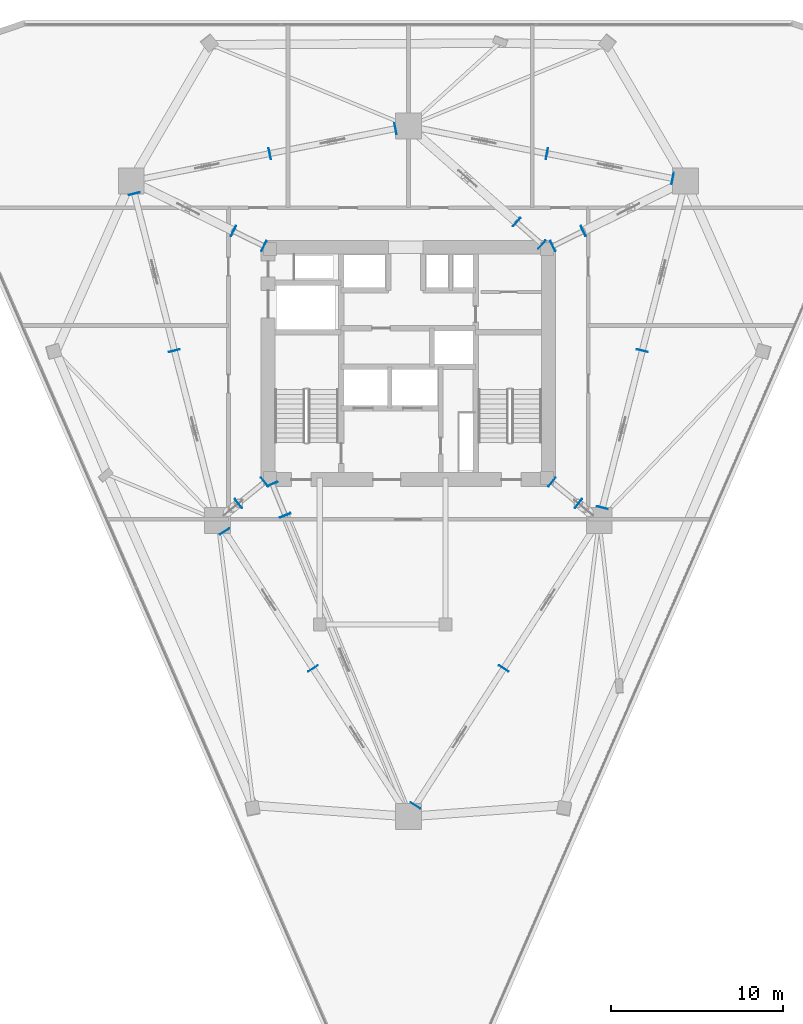
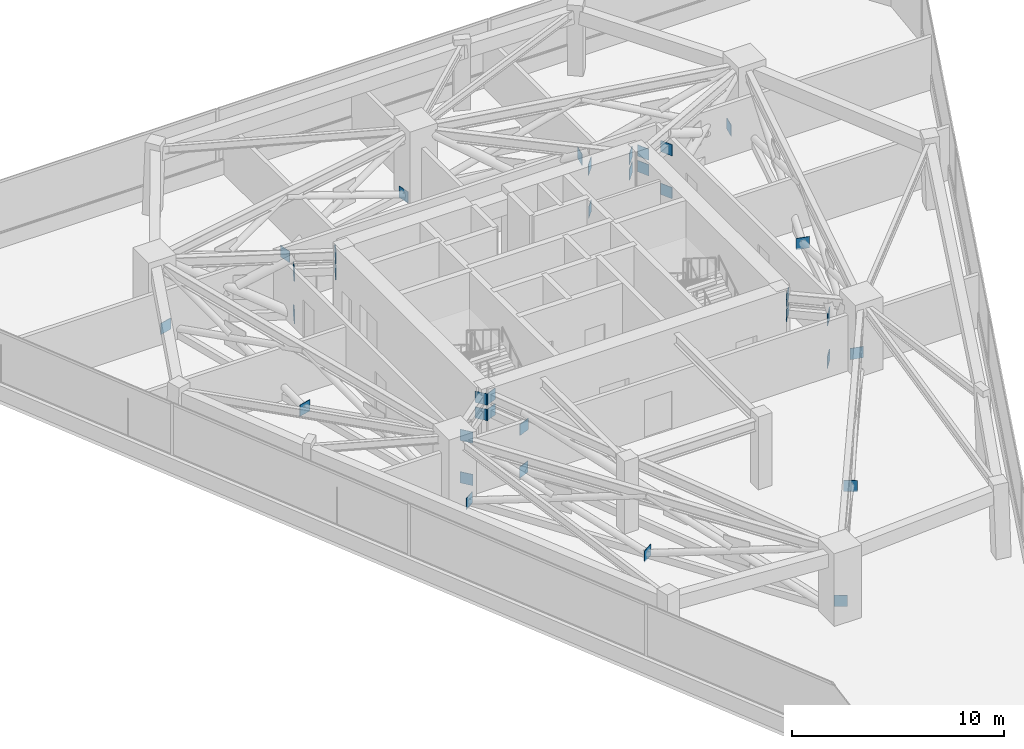
# One storey, part 10 of 13: 36 plates.
"""IFC4 building model written with IfcOpenShell, lengths in metres."""

import ifcopenshell
import ifcopenshell.guid

model = None  # the IFC model being written
_history = None  # IfcOwnerHistory: only IFC2X3 demands one
_inside = {}  # id of a spatial element -> (the spatial element, [elements in it])
_under = {}  # id of a project, library or spatial element -> (it, [spatial elements below it])
_declared = {}  # id of a project -> (the project, [libraries it declares])
_typed = {}  # id of a type object -> (the type object, [elements of that type])
_made_of = {}  # id of a material, layer set ... -> (it, [elements and type objects made of it])


def new_model(schema):
    """Start an empty IFC model of exactly this schema.

    Asked for "IFC4X3", IfcOpenShell would pick the latest addendum, in which some entities
    have other attributes; the version numbers below select the first issue.
    IFC2X3 requires an IfcOwnerHistory on every rooted entity: one is made here for all.
    """
    global model, _history
    if schema == "IFC4X3":
        model = ifcopenshell.file(schema_version=(4, 3, 0, 0))
    else:
        model = ifcopenshell.file(schema=schema)
    _inside.clear()
    _under.clear()
    _declared.clear()
    _typed.clear()
    _made_of.clear()
    _history = None
    if model.schema == "IFC2X3":
        org = make("IfcOrganization", Name="unknown")
        user = make(
            "IfcPersonAndOrganization",
            ThePerson=make("IfcPerson", FamilyName="unknown"),
            TheOrganization=org,
        )
        app = make(
            "IfcApplication",
            ApplicationDeveloper=org,
            Version="unknown",
            ApplicationFullName="unknown",
            ApplicationIdentifier="unknown",
        )
        _history = make(
            "IfcOwnerHistory",
            OwningUser=user,
            OwningApplication=app,
            ChangeAction="ADDED",
            CreationDate=0,
        )
    return model


def make(cls, **values):
    """One entity of the class cls with the attributes given. An attribute that is None is left unset."""
    return model.create_entity(
        cls, **{name: value for name, value in values.items() if value is not None}
    )


def rooted(cls, **values):
    """An entity with a GlobalId (a new one), such as an element, a storey or a relation."""
    return make(cls, GlobalId=ifcopenshell.guid.new(), OwnerHistory=_history, **values)


def si_unit(unit_type, name, prefix=None):
    """IfcSIUnit, for example si_unit("LENGTHUNIT", "METRE", prefix="MILLI")."""
    return make("IfcSIUnit", UnitType=unit_type, Prefix=prefix, Name=name)


def assignment(units):
    """IfcUnitAssignment: the units of a project."""
    return None if units is None else make("IfcUnitAssignment", Units=units)


def point(xyz):
    """IfcCartesianPoint."""
    return None if xyz is None else make("IfcCartesianPoint", Coordinates=xyz)


def direction(xyz):
    """IfcDirection."""
    return None if xyz is None else make("IfcDirection", DirectionRatios=xyz)


def frame(location, z_axis=None, x_axis=None):
    """IfcAxis2Placement3D, a coordinate frame: its origin and axes. An axis left out is left unset."""
    return make(
        "IfcAxis2Placement3D",
        Location=point(location),
        Axis=direction(z_axis),
        RefDirection=direction(x_axis),
    )


def frame_2d(location, x_axis=None):
    """IfcAxis2Placement2D, a coordinate frame in the plane: its origin and x axis."""
    return make(
        "IfcAxis2Placement2D", Location=point(location), RefDirection=direction(x_axis)
    )


def origin():
    """The frame at (0, 0, 0) with its axes left unset."""
    return frame((0.0, 0.0, 0.0))


def origin_2d():
    """The frame at (0, 0) in the plane with its x axis left unset."""
    return frame_2d((0.0, 0.0))


def place(relative_to, where):
    """IfcLocalPlacement: puts the frame where relative to a parent placement (None: the world)."""
    return make(
        "IfcLocalPlacement", PlacementRelTo=relative_to, RelativePlacement=where
    )


def context(
    kind, dimensions, precision=None, world=None, true_north=None, identifier=None
):
    """IfcGeometricRepresentationContext, for example the 3D "Model" context."""
    return make(
        "IfcGeometricRepresentationContext",
        ContextIdentifier=identifier,
        ContextType=kind,
        CoordinateSpaceDimension=dimensions,
        Precision=precision,
        WorldCoordinateSystem=world,
        TrueNorth=true_north,
    )


def subcontext(parent, identifier, kind, view, scale=None):
    """IfcGeometricRepresentationSubContext, for example "Body" below "Model"."""
    return make(
        "IfcGeometricRepresentationSubContext",
        ContextIdentifier=identifier,
        ContextType=kind,
        ParentContext=parent,
        TargetScale=scale,
        TargetView=view,
    )


def project(units=None, contexts=None):
    """IfcProject with its units and contexts."""
    return rooted(
        "IfcProject",
        Name="project",
        RepresentationContexts=contexts,
        UnitsInContext=assignment(units),
    )


def spatial(cls, under=None, at=None, **own):
    """A site, building, storey or space (cls), placed at a placement, below another one or the project."""
    s = rooted(cls, ObjectPlacement=at, **own)
    if under is not None:
        _under.setdefault(under.id(), (under, []))[1].append(s)
    return s


def profile(cls, at=None, kind="AREA", **sizes):
    """A parametric profile (cls). Its sizes go by their IFC names, for example OverallWidth=200.0."""
    return make(cls, ProfileType=kind, Position=at, **sizes)


def rectangle(**sizes):
    """IfcRectangleProfileDef."""
    return profile("IfcRectangleProfileDef", **sizes)


def extrude(swept, where, along, depth):
    """IfcExtrudedAreaSolid: the profile swept, set in the frame where, extruded along a direction by depth."""
    return make(
        "IfcExtrudedAreaSolid",
        SweptArea=swept,
        Position=where,
        ExtrudedDirection=direction(along),
        Depth=depth,
    )


def shape(context_of_items, identifier, shape_type, items):
    """IfcShapeRepresentation: the items that make up one representation, for example the "Body"."""
    return make(
        "IfcShapeRepresentation",
        ContextOfItems=context_of_items,
        RepresentationIdentifier=identifier,
        RepresentationType=shape_type,
        Items=items,
    )


def material(Name=None, Category=None):
    """IfcMaterial."""
    return make("IfcMaterial", Name=Name, Category=Category)


def layer(
    of_material, thickness, ventilated=None, Name=None, Category=None, Priority=None
):
    """IfcMaterialLayer: one layer of a wall or slab, of a material (None: an air gap)."""
    return make(
        "IfcMaterialLayer",
        Material=of_material,
        LayerThickness=thickness,
        IsVentilated=ventilated,
        Name=Name,
        Category=Category,
        Priority=Priority,
    )


def layer_set(layers, Name=None):
    """IfcMaterialLayerSet."""
    return make("IfcMaterialLayerSet", MaterialLayers=layers, LayerSetName=Name)


def made_of(thing, what):
    """Note that an element or type object is made of a material, layer set ...; save() writes the relation."""
    if what is not None:
        _made_of.setdefault(what.id(), (what, []))[1].append(thing)
    return thing


def type_object(cls, material=None, **own):
    """A type object (cls), such as IfcWallType, which elements share."""
    return made_of(rooted(cls, **own), material)


def element(
    cls,
    number,
    at=None,
    inside=None,
    cuts=None,
    type_object=None,
    material=None,
    context=None,
    identifier="Body",
    shape_type=None,
    held_by="IfcProductDefinitionShape",
    body=None,
    shapes=None,
    **own,
):
    """One element of the class cls, such as IfcWall. Its Tag is "e" and its number.

    at: its placement. inside: the storey or other place that contains it. cuts: it is an
    opening in that element (IfcRelVoidsElement). A single representation is given by context,
    identifier, shape_type and body (its items); several are given by shapes. held_by: the class
    of the entity that holds the representations. save() writes the other relations.
    """
    e = rooted(cls, Tag="e%d" % number, ObjectPlacement=at, **own)
    if body is not None:
        shapes = [shape(context, identifier, shape_type, body)]
    if shapes is not None:
        e.Representation = make(held_by, Representations=shapes)
    if inside is not None:
        _inside.setdefault(inside.id(), (inside, []))[1].append(e)
    if cuts is not None:
        rooted(
            "IfcRelVoidsElement", RelatingBuildingElement=cuts, RelatedOpeningElement=e
        )
    if type_object is not None:
        _typed.setdefault(type_object.id(), (type_object, []))[1].append(e)
    return made_of(e, material)


def aggregate(whole, parts):
    """IfcRelAggregates: a whole, such as a stair, and the parts it consists of."""
    return rooted("IfcRelAggregates", RelatingObject=whole, RelatedObjects=parts)


def save(model, path):
    """Write the relations noted so far, then the file.

    IfcRelAggregates (storeys below a building ...), IfcRelContainedInSpatialStructure (elements
    in a storey), IfcRelDefinesByType, IfcRelAssociatesMaterial and IfcRelDeclares: one each for
    every whole, place, type object, material and project.
    """
    for whole, parts in _under.values():
        aggregate(whole, parts)
    for where, things in _inside.values():
        rooted(
            "IfcRelContainedInSpatialStructure",
            RelatedElements=things,
            RelatingStructure=where,
        )
    for kind, things in _typed.values():
        rooted("IfcRelDefinesByType", RelatedObjects=things, RelatingType=kind)
    for what, things in _made_of.values():
        rooted("IfcRelAssociatesMaterial", RelatedObjects=things, RelatingMaterial=what)
    for by, libraries in _declared.values():
        rooted("IfcRelDeclares", RelatingContext=by, RelatedDefinitions=libraries)
    model.write(path)


model = new_model("IFC4")

# Units and contexts
model_context = context("Model", 3, precision=1e-05, world=origin(), true_north=direction((0.0, 1.0)))
body_context = subcontext(model_context, "Body", "Model", "MODEL_VIEW")
ifc_project = project(units=[si_unit("LENGTHUNIT", "METRE"), si_unit("AREAUNIT", "SQUARE_METRE"), si_unit("VOLUMEUNIT", "CUBIC_METRE"), si_unit("PLANEANGLEUNIT", "RADIAN"), si_unit("MASSUNIT", "GRAM", prefix="KILO")], contexts=[model_context])

# Site, building, storey
site_placement = place(None, origin())
site = spatial("IfcSite", under=ifc_project, at=site_placement, CompositionType="ELEMENT")
building_placement = place(site_placement, origin())
building = spatial("IfcBuilding", under=site, at=building_placement, Name="Talyreon Biosciences Tower", CompositionType="ELEMENT")
storey_placement = place(building_placement, frame((0.0, 0.0, 171.0)))
storey = spatial("IfcBuildingStorey", under=building, at=storey_placement, Name="L45", CompositionType="ELEMENT", Elevation=171.0)

# Plates
ifc_material = material(Name="Steel SM355", Category="steel")
ifc_layer = layer(ifc_material, 0.028076171875)
ifc_layer_set = layer_set([ifc_layer], Name="Steel SM355")
plate_type = type_object("IfcPlateType", Name="HollowEndCapPlate_28", PredefinedType="SHEET", material=ifc_layer_set)
for number, where, z_axis, x_axis, name in (
    (1, (58.095703125, 60.99365234375, 3.275146484375), (0.0, 0.0, 1.0), (0.925580150933, 0.378551692902, 0.0), "Truss node plate NP-L45-OC-1"),
    (2, (58.095703125, 60.99365234375, 2.375), (0.0, 0.0, 1.0), (0.925580150933, 0.378551692902, 0.0), "Truss node plate NP-L45-OCM0-1"),
    (3, (58.844970703125, 59.161865234375, 2.375), (0.0, 0.0, 1.0), (0.925580150933, 0.378551692902, 0.0), "Truss node plate NP-L45-OCM1-1"),
    (4, (58.839599609375, 59.1748046875, -0.0849609375), (0.0, 0.0, 1.0), (0.925586757766, 0.378535538423, 0.0), "Truss node plate NP-OUT-L45-R1-E"),
    (5, (74.3486328125, 61.107177734375, 3.275146484375), (0.0, 0.0, 1.0), (0.631000821652, 0.775782162127, 0.0), "Truss node plate NP-L45-OC-2"),
    (6, (74.3486328125, 61.107177734375, 2.375), (0.0, 0.0, 1.0), (0.631000821652, 0.775782162127, 0.0), "Truss node plate NP-L45-OCM0-2"),
    (7, (75.884033203125, 59.8583984375, 2.375), (0.0, 0.0, 1.0), (0.631000821652, 0.775782162127, 0.0), "Truss node plate NP-L45-OCM1-2"),
    (8, (75.873046875, 59.8671875, -0.0849609375), (0.0, 0.0, 1.0), (0.630973741361, 0.775804187739, 0.0), "Truss node plate NP-OUT-L45-R2-E"),
    (9, (74.395751953125, 74.819580078125, 3.275146484375), (0.0, 0.0, 1.0), (-0.440283955252, 0.89785858505, 0.0), "Truss node plate NP-L45-OC-3"),
    (10, (74.395751953125, 74.819580078125, 2.375), (0.0, 0.0, 1.0), (-0.440283955252, 0.89785858505, 0.0), "Truss node plate NP-L45-OCM0-3"),
    (11, (76.172607421875, 75.69091796875, 2.375), (0.0, 0.0, 1.0), (-0.440283955252, 0.89785858505, 0.0), "Truss node plate NP-L45-OCM1-3"),
    (12, (76.159912109375, 75.684814453125, -0.0849609375), (0.0, 0.0, 1.0), (-0.440283955252, 0.89785858505, 0.0), "Truss node plate NP-OUT-L45-R3-E"),
    (13, (73.761962890625, 74.905517578125, 3.275146484375), (0.0, 0.0, 1.0), (-0.663495401773, -0.748180360492, 0.0), "Truss node plate NP-L45-OC-4"),
    (14, (73.761962890625, 74.905517578125, 2.375), (0.0, 0.0, 1.0), (-0.663495401773, -0.748180360492, 0.0), "Truss node plate NP-L45-OCM0-4"),
    (15, (72.28125, 76.218505859375, 2.375), (0.0, 0.0, 1.0), (-0.663495401773, -0.748180360492, 0.0), "Truss node plate NP-L45-OCM1-4"),
    (16, (72.291748046875, 76.209228515625, -0.0849609375), (0.0, 0.0, 1.0), (-0.663495401773, -0.748180360492, 0.0), "Truss node plate NP-OUT-L45-R4-E"),
    (17, (57.604248046875, 74.819580078125, 3.275146484375), (0.0, 0.0, 1.0), (-0.440283955252, -0.89785858505, 0.0), "Truss node plate NP-L45-OC-5"),
    (18, (57.604248046875, 74.819580078125, 2.375), (0.0, 0.0, 1.0), (-0.440283955252, -0.89785858505, 0.0), "Truss node plate NP-L45-OCM0-5"),
    (19, (55.827392578125, 75.69091796875, 2.375), (0.0, 0.0, 1.0), (-0.440283955252, -0.89785858505, 0.0), "Truss node plate NP-L45-OCM1-5"),
    (20, (55.840087890625, 75.684814453125, -0.0849609375), (0.0, 0.0, 1.0), (-0.440283955252, -0.89785858505, 0.0), "Truss node plate NP-OUT-L45-R5-E"),
    (21, (57.6513671875, 61.107177734375, 3.275146484375), (0.0, 0.0, 1.0), (0.631000821652, -0.775782162127, 0.0), "Truss node plate NP-L45-OC-6"),
    (22, (57.6513671875, 61.107177734375, 2.375), (0.0, 0.0, 1.0), (0.631000821652, -0.775782162127, 0.0), "Truss node plate NP-L45-OCM0-6"),
    (23, (56.115966796875, 59.8583984375, 2.375), (0.0, 0.0, 1.0), (0.631000821652, -0.775782162127, 0.0), "Truss node plate NP-L45-OCM1-6"),
    (24, (56.126953125, 59.8671875, -0.0849609375), (0.0, 0.0, 1.0), (0.630973741361, -0.775804187739, 0.0), "Truss node plate NP-OUT-L45-R6-E"),
    (25, (66.41162109375, 42.305908203125, -0.0849609375), (0.0, 0.0, 1.0), (-0.840727294555, 0.54145878531, 0.0), "Truss node plate NP-BELT-L45-B1S1-E"),
    (26, (71.543212890625, 50.273681640625, -0.0849609375), (0.0, 0.0, 1.0), (-0.840717844189, 0.541473458687, 0.0), "Truss node plate NP-BELT-L45-B1S2-E"),
    (27, (77.273681640625, 59.616943359375, -0.0849609375), (0.0, 0.0, 1.0), (-0.969132019352, 0.246542347409, 0.0), "Truss node plate NP-BELT-L45-B2S1-E"),
    (28, (79.59423828125, 68.739501953125, -0.0849609375), (0.0, 0.0, 1.0), (-0.969132019352, 0.246542347409, 0.0), "Truss node plate NP-BELT-L45-B2S2-E"),
    (29, (81.35693359375, 78.746337890625, -0.0849609375), (0.0, 0.0, 1.0), (-0.194337075538, -0.980934809797, 0.0), "Truss node plate NP-BELT-L45-B3S1-E"),
    (30, (74.05126953125, 80.19384765625, -0.0849609375), (0.0, 0.0, 1.0), (-0.194337075538, -0.980934809797, 0.0), "Truss node plate NP-BELT-L45-B3S2-E"),
    (31, (65.25439453125, 81.64111328125, -0.0849609375), (0.0, 0.0, 1.0), (0.194337075538, -0.980934809797, 0.0), "Truss node plate NP-BELT-L45-B4S1-E"),
    (32, (57.94873046875, 80.19384765625, -0.0849609375), (0.0, 0.0, 1.0), (0.194337075538, -0.980934809797, 0.0), "Truss node plate NP-BELT-L45-B4S2-E"),
    (33, (50.0849609375, 77.8623046875, -0.0849609375), (0.0, 0.0, 1.0), (0.969132019352, 0.246542347409, 0.0), "Truss node plate NP-BELT-L45-B5S1-E"),
    (34, (52.40576171875, 68.739501953125, -0.0849609375), (0.0, 0.0, 1.0), (0.969132019352, 0.246542347409, 0.0), "Truss node plate NP-BELT-L45-B5S2-E"),
    (35, (55.3251953125, 58.241455078125, -0.0849609375), (0.0, 0.0, 1.0), (0.840717844189, 0.541473458687, 0.0), "Truss node plate NP-BELT-L45-B6S1-E"),
    (36, (60.456787109375, 50.273681640625, -0.0849609375), (0.0, 0.0, 1.0), (0.840727294555, 0.54145878531, 0.0), "Truss node plate NP-BELT-L45-B6S2-E"),
):
    element("IfcPlate", number, at=place(storey_placement, frame(where, z_axis=z_axis, x_axis=x_axis)), inside=storey, type_object=plate_type, Name=name, PredefinedType="SHEET", context=body_context, shape_type="SweptSolid", body=[
        extrude(rectangle(XDim=0.64990234375, YDim=0.028076171875, at=origin_2d()), origin(), (0.0, 0.0, 1.0), 0.64990234375),
    ])

save(model, "model.ifc")
